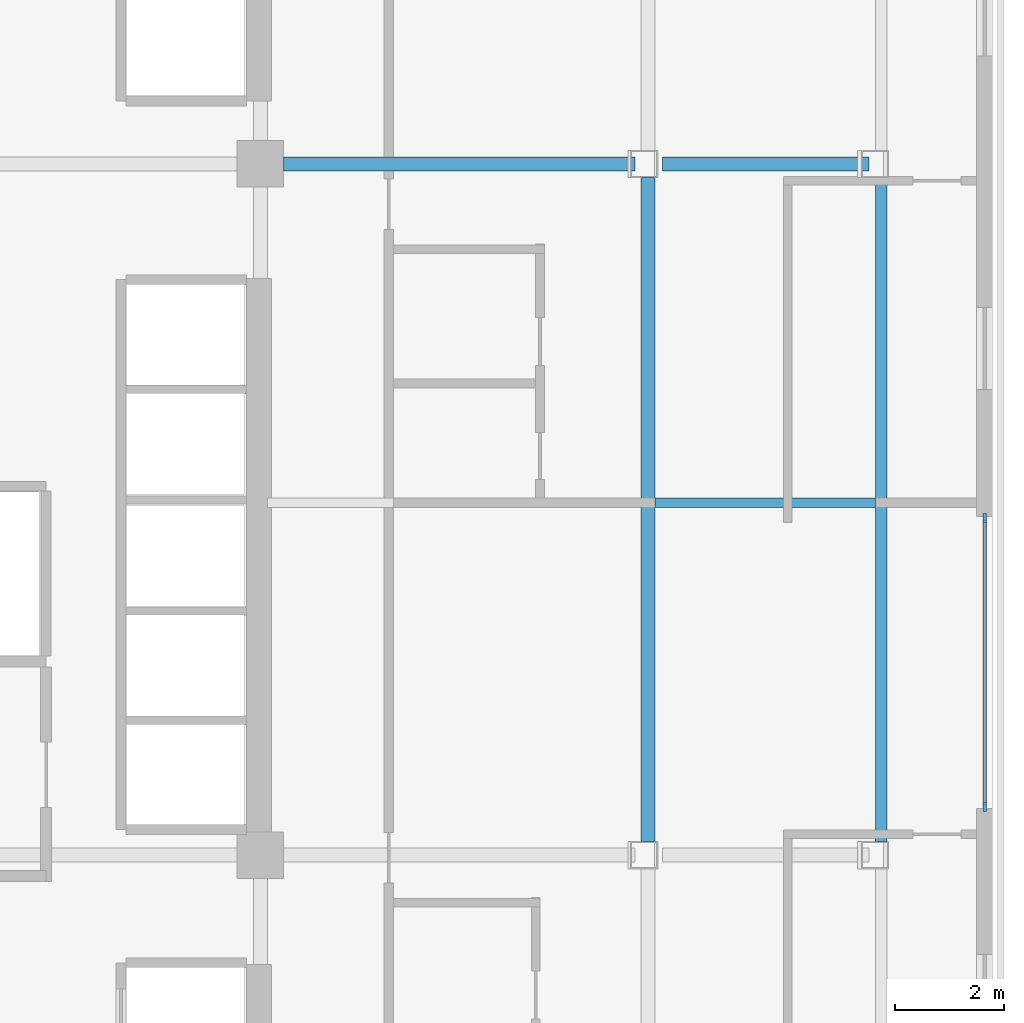
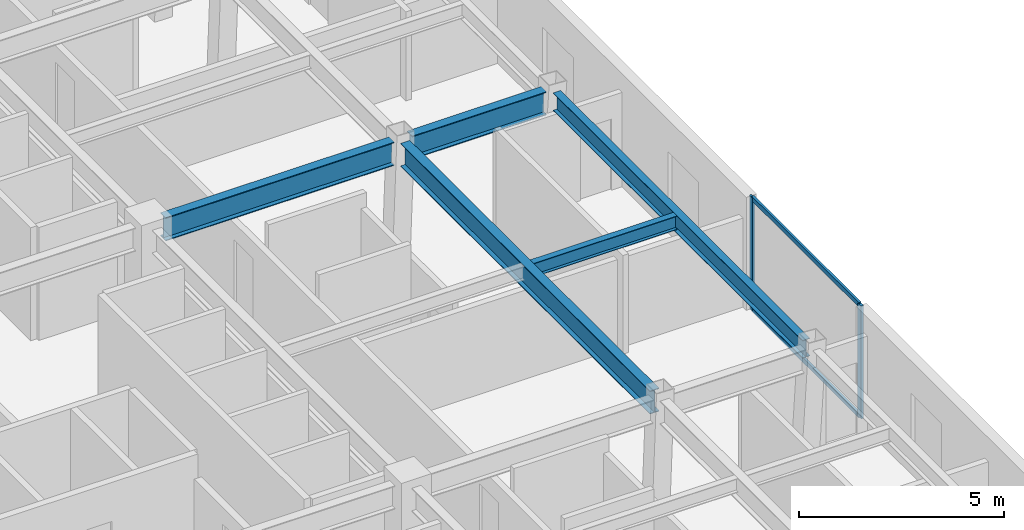
# One storey, part 5 of 15: 5 beams, 4 members, 1 element without a shape of its own.
"""IFC4 building model written with IfcOpenShell, lengths in metres."""

from ifc_helpers import new_model, si_unit, direction, frame, origin, origin_2d, place, context, subcontext, project, spatial, rectangle, i_section, extrude, material, layer, layer_set, material_profile, profile_set, type_object, element, aggregate, save


model = new_model("IFC4")

# Units and contexts
model_context = context("Model", 3, precision=1e-05, world=origin(), true_north=direction((0.0, 1.0)))
body_context = subcontext(model_context, "Body", "Model", "MODEL_VIEW")
ifc_project = project(units=[si_unit("LENGTHUNIT", "METRE"), si_unit("AREAUNIT", "SQUARE_METRE"), si_unit("VOLUMEUNIT", "CUBIC_METRE"), si_unit("PLANEANGLEUNIT", "RADIAN"), si_unit("MASSUNIT", "GRAM", prefix="KILO")], contexts=[model_context])

# Site, building, storey
site_placement = place(None, origin())
site = spatial("IfcSite", under=ifc_project, at=site_placement, CompositionType="ELEMENT")
building_placement = place(site_placement, origin())
building = spatial("IfcBuilding", under=site, at=building_placement, Name="Ochreholt Gables", CompositionType="ELEMENT")
storey_placement = place(building_placement, frame((0.0, 0.0, 64.199951171875)))
storey = spatial("IfcBuildingStorey", under=building, at=storey_placement, Name="L16", CompositionType="ELEMENT", Elevation=64.199951171875)

# Beams
ifc_material_1 = material(Name="Steel CSA G40.21 350W", Category="steel")
ifc_material_profile_1 = material_profile(ifc_material_1, i_section(OverallWidth=0.256103515625, OverallDepth=0.693115234375, WebThickness=0.014404296875, FlangeThickness=0.023681640625, at=origin_2d()), Name="W690X170")
ifc_profile_set_1 = profile_set([ifc_material_profile_1], Name="Steel CSA G40.21 350W")
beam_type_1 = type_object("IfcBeamType", Name="BM-G-W690", PredefinedType="BEAM", material=ifc_profile_set_1)
beam_1_placement = place(storey_placement, frame((35.62451171875, 30.199951171875, 3.013427734375), z_axis=(1.0, 0.0, 0.0), x_axis=(0.0, 1.0, 0.0)))
element("IfcBeam", 1, at=beam_1_placement, inside=storey, type_object=beam_type_1, Name="L16 Beam TBG-L16-C2EM-Y4", PredefinedType="BEAM", context=body_context, shape_type="SweptSolid", body=[
    extrude(i_section(OverallWidth=0.256103515625, OverallDepth=0.693115234375, WebThickness=0.014404296875, FlangeThickness=0.023681640625, at=origin_2d()), origin(), (0.0, 0.0, 1.0), 6.434814453125),
])
beam_2_placement = place(storey_placement, frame((42.55859375, 30.199951171875, 3.013427734375), z_axis=(1.0, 0.0, 0.0), x_axis=(0.0, 1.0, 0.0)))
element("IfcBeam", 2, at=beam_2_placement, inside=storey, type_object=beam_type_1, Name="L16 Beam TBG-L16-EMEE-Y4", PredefinedType="BEAM", context=body_context, shape_type="SweptSolid", body=[
    extrude(i_section(OverallWidth=0.256103515625, OverallDepth=0.693115234375, WebThickness=0.014404296875, FlangeThickness=0.023681640625, at=origin_2d()), origin(), (0.0, 0.0, 1.0), 3.781005859375),
])
beam_3_placement = place(storey_placement, frame((42.291748046875, 17.799560546875, 3.013427734375), z_axis=(0.0, 1.0, 0.0), x_axis=(-1.0, 0.0, 0.0)))
element("IfcBeam", 3, at=beam_3_placement, inside=storey, type_object=beam_type_1, Name="L16 Beam TBN-L16-EM-Y3Y4", PredefinedType="BEAM", context=body_context, shape_type="SweptSolid", body=[
    extrude(i_section(OverallWidth=0.256103515625, OverallDepth=0.693115234375, WebThickness=0.014404296875, FlangeThickness=0.023681640625, at=origin_2d()), origin(), (0.0, 0.0, 1.0), 12.15087890625),
])
ifc_material_profile_2 = material_profile(ifc_material_1, i_section(OverallWidth=0.178955078125, OverallDepth=0.409912109375, WebThickness=0.0087890625, FlangeThickness=0.014404296875, at=origin_2d()), Name="W410X67")
ifc_profile_set_2 = profile_set([ifc_material_profile_2], Name="Steel CSA G40.21 350W")
beam_type_2 = type_object("IfcBeamType", Name="BM-J-W410", PredefinedType="JOIST", material=ifc_profile_set_2)
beam_4_placement = place(storey_placement, frame((42.41943359375, 24.0, 3.155029296875), z_axis=(1.0, 0.0, 0.0), x_axis=(0.0, 1.0, 0.0)))
element("IfcBeam", 4, at=beam_4_placement, inside=storey, type_object=beam_type_2, Name="L16 Beam TBJ-L16-J2-EMEE", PredefinedType="JOIST", context=body_context, shape_type="SweptSolid", body=[
    extrude(i_section(OverallWidth=0.178955078125, OverallDepth=0.409912109375, WebThickness=0.0087890625, FlangeThickness=0.014404296875, at=origin_2d()), origin(), (0.0, 0.0, 1.0), 4.037353515625),
])
ifc_material_profile_3 = material_profile(ifc_material_1, i_section(OverallWidth=0.208984375, OverallDepth=0.532958984375, WebThickness=0.01025390625, FlangeThickness=0.015625, at=origin_2d()), Name="W530X92")
ifc_profile_set_3 = profile_set([ifc_material_profile_3], Name="Steel CSA G40.21 350W")
beam_type_3 = type_object("IfcBeamType", Name="BM-SP-W530B", PredefinedType="SPANDREL", material=ifc_profile_set_3)
beam_5_placement = place(storey_placement, frame((46.560791015625, 17.799560546875, 3.093505859375), z_axis=(0.0, 1.0, 0.0), x_axis=(-1.0, 0.0, 0.0)))
element("IfcBeam", 5, at=beam_5_placement, inside=storey, type_object=beam_type_3, Name="L16 Beam TBN-L16-EE-Y3Y4", PredefinedType="SPANDREL", context=body_context, shape_type="SweptSolid", body=[
    extrude(i_section(OverallWidth=0.208984375, OverallDepth=0.532958984375, WebThickness=0.01025390625, FlangeThickness=0.015625, at=origin_2d()), origin(), (0.0, 0.0, 1.0), 12.15087890625),
])

# Curtain wall, members
ifc_material_2 = material(Name="Unitised Aluminium and Triple Glazing", Category="aluminium")
ifc_layer = layer(ifc_material_2, 0.179931640625, Name="Unitised Aluminium and Triple Glazing")
ifc_layer_set = layer_set([ifc_layer], Name="Unitised Aluminium and Triple Glazing")
curtain_wall_type = type_object("IfcCurtainWallType", Name="CW-SYS2", PredefinedType="NOTDEFINED", material=ifc_layer_set)
curtain_wall_placement = place(storey_placement, origin())
curtain_wall = element("IfcCurtainWall", 6, at=curtain_wall_placement, inside=storey, type_object=curtain_wall_type, Name="L16 East Unitised Curtain Wall", PredefinedType="NOTDEFINED")
ifc_material_3 = material(Name="Anodized Aluminium 6063-T6", Category="aluminium")
ifc_material_profile_4 = material_profile(ifc_material_3, rectangle(XDim=0.06494140625, YDim=0.1650390625, at=origin_2d()), Name="CWM65X165")
ifc_profile_set_4 = profile_set([ifc_material_profile_4], Name="Anodized Aluminium 6063-T6")
member_type_1 = type_object("IfcMemberType", Name="CW-MUL-B", PredefinedType="MULLION", material=ifc_profile_set_4)
member_1_placement = place(storey_placement, frame((48.455078125, 18.4326171875, 0.0), z_axis=(0.0, 0.0, 1.0), x_axis=(-1.0, 0.0, 0.0)))
member_1 = element("IfcMember", 7, at=member_1_placement, type_object=member_type_1, Name="CW-2 mullion 1", PredefinedType="MULLION", context=body_context, shape_type="SweptSolid", body=[
    extrude(rectangle(XDim=0.06494140625, YDim=0.1650390625, at=origin_2d()), origin(), (0.0, 0.0, 1.0), 3.360107421875),
])
member_2_placement = place(storey_placement, frame((48.455078125, 23.717529296875, 0.0), z_axis=(0.0, 0.0, 1.0), x_axis=(-1.0, 0.0, 0.0)))
member_2 = element("IfcMember", 8, at=member_2_placement, type_object=member_type_1, Name="CW-2 mullion 2", PredefinedType="MULLION", context=body_context, shape_type="SweptSolid", body=[
    extrude(rectangle(XDim=0.06494140625, YDim=0.1650390625, at=origin_2d()), origin(), (0.0, 0.0, 1.0), 3.360107421875),
])
ifc_material_profile_5 = material_profile(ifc_material_3, rectangle(XDim=0.06494140625, YDim=0.135009765625, at=origin_2d()), Name="CWT65X135")
ifc_profile_set_5 = profile_set([ifc_material_profile_5], Name="Anodized Aluminium 6063-T6")
member_type_2 = type_object("IfcMemberType", Name="CW-TRN-B", PredefinedType="USERDEFINED", material=ifc_profile_set_5)
member_3_placement = place(storey_placement, frame((48.455078125, 18.465087890625, 0.032470703125), z_axis=(0.0, 1.0, 0.0), x_axis=(-1.0, 0.0, 0.0)))
member_3 = element("IfcMember", 9, at=member_3_placement, type_object=member_type_2, Name="CW-2 transom 1.1", ObjectType="TRANSOM", PredefinedType="USERDEFINED", context=body_context, shape_type="SweptSolid", body=[
    extrude(rectangle(XDim=0.06494140625, YDim=0.135009765625, at=origin_2d()), origin(), (0.0, 0.0, 1.0), 5.219970703125),
])
member_4_placement = place(storey_placement, frame((48.455078125, 18.465087890625, 3.32763671875), z_axis=(0.0, 1.0, 0.0), x_axis=(-1.0, 0.0, 0.0)))
member_4 = element("IfcMember", 10, at=member_4_placement, type_object=member_type_2, Name="CW-2 transom 1.2", ObjectType="TRANSOM", PredefinedType="USERDEFINED", context=body_context, shape_type="SweptSolid", body=[
    extrude(rectangle(XDim=0.06494140625, YDim=0.135009765625, at=origin_2d()), origin(), (0.0, 0.0, 1.0), 5.219970703125),
])
aggregate(curtain_wall, [member_1, member_2, member_3, member_4])

save(model, "model.ifc")
